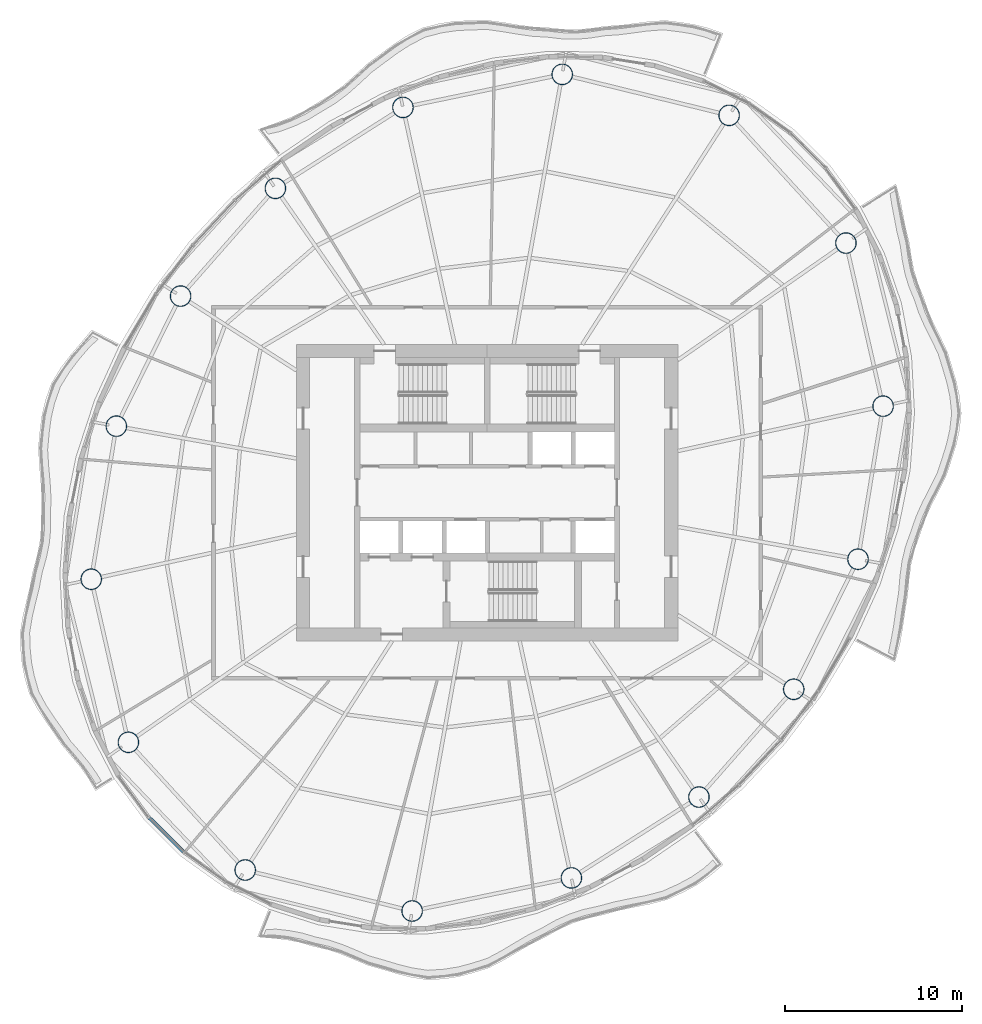
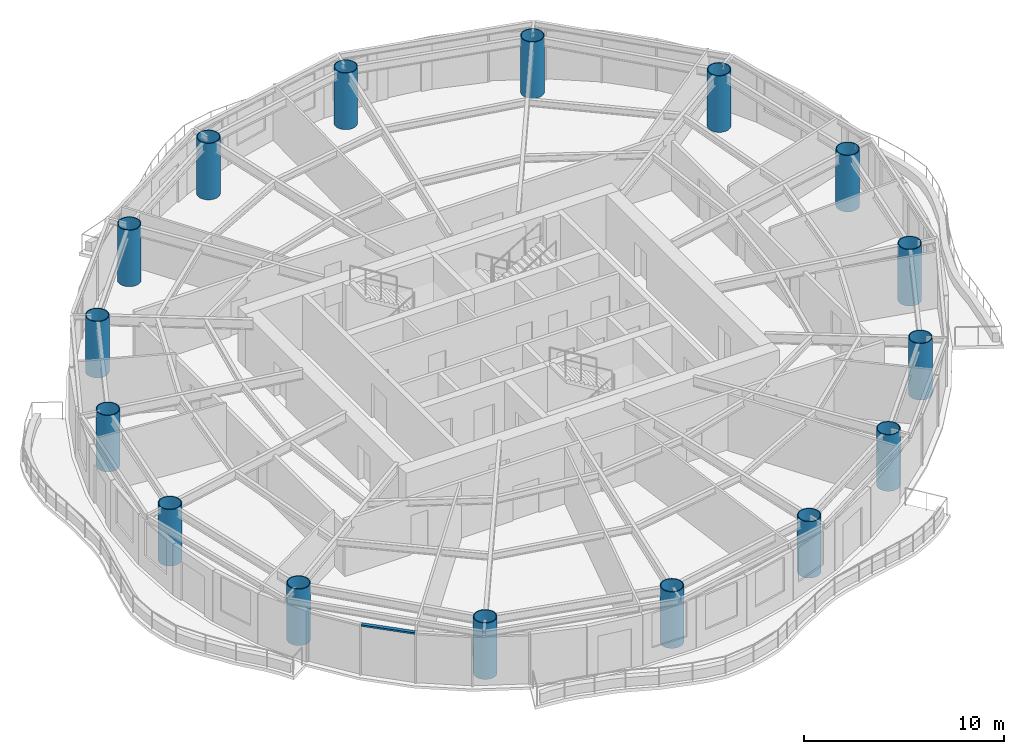
# One storey, part 1 of 14: 16 columns, 1 member, 1 element without a shape of its own.
"""IFC4 building model written with IfcOpenShell, lengths in metres."""

from ifc_helpers import new_model, si_unit, direction, frame, origin, origin_2d, place, context, subcontext, project, spatial, rectangle, hollow_circle, extrude, material, material_profile, profile_set, type_object, element, aggregate, save


model = new_model("IFC4")

# Units and contexts
model_context = context("Model", 3, precision=1e-05, world=origin(), true_north=direction((0.0, 1.0)))
body_context = subcontext(model_context, "Body", "Model", "MODEL_VIEW")
ifc_project = project(units=[si_unit("LENGTHUNIT", "METRE"), si_unit("AREAUNIT", "SQUARE_METRE"), si_unit("VOLUMEUNIT", "CUBIC_METRE"), si_unit("PLANEANGLEUNIT", "RADIAN"), si_unit("MASSUNIT", "GRAM", prefix="KILO")], contexts=[model_context])

# Site, building, storey
site_placement = place(None, origin())
site = spatial("IfcSite", under=ifc_project, at=site_placement, CompositionType="ELEMENT")
building_placement = place(site_placement, origin())
building = spatial("IfcBuilding", under=site, at=building_placement, Name="Vermilion Reach Broadcast Tower", CompositionType="ELEMENT")
storey_placement = place(building_placement, frame((0.0, 0.0, 231.699951171875)))
storey = spatial("IfcBuildingStorey", under=building, at=storey_placement, Name="L57", CompositionType="ELEMENT", Elevation=231.699951171875)

# Columns
ifc_material_1 = material(Name="Concrete C60 infill in steel S460NL tube", Category="concrete")
ifc_material_profile_1 = material_profile(ifc_material_1, hollow_circle(Radius=0.60009765625, WallThickness=0.044921875, at=origin_2d()), Name="Concrete C60 infill in steel S460NL tube CFT 1200x45")
ifc_profile_set_1 = profile_set([ifc_material_profile_1], Name="Concrete C60 infill in steel S460NL tube")
column_type = type_object("IfcColumnType", Name="MC4 CFT 1200x45", PredefinedType="COLUMN", material=ifc_profile_set_1)
for number, where, z_axis, x_axis, name in (
    (1, (7.70361328125, 21.3701171875, 0.0), (0.0, 0.0, 1.0), (1.0, 0.0, 0.0), "Mega-column MC4-01"),
    (2, (-1.75, 23.691162109375, 0.0), (0.0, 0.0, 1.0), (1.0, 0.0, 0.0), "Mega-column MC4-02"),
    (3, (-10.769287109375, 21.818603515625, 0.0), (0.0, 0.0, 1.0), (1.0, 0.0, 0.0), "Mega-column MC4-03"),
    (4, (-17.993408203125, 17.23681640625, 0.0), (0.0, 0.0, 1.0), (1.0, 0.0, 0.0), "Mega-column MC4-04"),
    (5, (-23.36279296875, 11.134033203125, 0.0), (0.0, 0.0, 1.0), (1.0, 0.0, 0.0), "Mega-column MC4-05"),
    (6, (-27.002685546875, 3.767578125, 0.0), (0.0, 0.0, 1.0), (1.0, 0.0, 0.0), "Mega-column MC4-06"),
    (7, (-28.423828125, -4.9013671875, 0.0), (0.0, 0.0, 1.0), (1.0, 0.0, 0.0), "Mega-column MC4-07"),
    (8, (-26.318115234375, -14.13720703125, 0.0), (0.0, 0.0, 1.0), (1.0, 0.0, 0.0), "Mega-column MC4-08"),
    (9, (-19.70361328125, -21.3701171875, 0.0), (0.0, 0.0, 1.0), (1.0, 0.0, 0.0), "Mega-column MC4-09"),
    (10, (-10.25, -23.691162109375, 0.0), (0.0, 0.0, 1.0), (1.0, 0.0, 0.0), "Mega-column MC4-10"),
    (11, (-1.230712890625, -21.818603515625, 0.0), (0.0, 0.0, 1.0), (1.0, 0.0, 0.0), "Mega-column MC4-11"),
    (12, (5.993408203125, -17.23681640625, 0.0), (0.0, 0.0, 1.0), (1.0, 0.0, 0.0), "Mega-column MC4-12"),
    (13, (11.36279296875, -11.134033203125, 0.0), (0.0, 0.0, 1.0), (1.0, 0.0, 0.0), "Mega-column MC4-13"),
    (14, (15.002685546875, -3.767578125, 0.0), (0.0, 0.0, 1.0), (1.0, 0.0, 0.0), "Mega-column MC4-14"),
    (15, (16.423828125, 4.9013671875, 0.0), (0.0, 0.0, 1.0), (1.0, 0.0, 0.0), "Mega-column MC4-15"),
    (16, (14.318115234375, 14.13720703125, 0.0), (0.0, 0.0, 1.0), (1.0, 0.0, 0.0), "Mega-column MC4-16"),
):
    element("IfcColumn", number, at=place(storey_placement, frame(where, z_axis=z_axis, x_axis=x_axis)), inside=storey, type_object=column_type, Name=name, PredefinedType="COLUMN", context=body_context, shape_type="SweptSolid", body=[
        extrude(hollow_circle(Radius=0.60009765625, WallThickness=0.044921875, at=origin_2d()), origin(), (0.0, 0.0, 1.0), 3.449951171875),
    ])

# Curtain wall, member
ifc_material_2 = material(Name="Low-e laminated clear glass in aluminium frame", Category="aluminium")
curtain_wall_type = type_object("IfcCurtainWallType", Name="Slot curtain wall", PredefinedType="NOTDEFINED", material=ifc_material_2)
curtain_wall_placement = place(storey_placement, origin())
curtain_wall = element("IfcCurtainWall", 17, at=curtain_wall_placement, inside=storey, type_object=curtain_wall_type, Name="Slot curtain wall L57 23", PredefinedType="NOTDEFINED")
ifc_material_3 = material(Name="Anodised aluminium", Category="aluminium")
ifc_material_profile_2 = material_profile(ifc_material_3, rectangle(XDim=0.199951171875, YDim=0.10009765625, at=origin_2d()), Name="Slot transom 200 x 100")
ifc_profile_set_2 = profile_set([ifc_material_profile_2], Name="Anodised aluminium")
member_type = type_object("IfcMemberType", Name="Slot transom 200 x 100", PredefinedType="USERDEFINED", material=ifc_profile_set_2)
member_placement = place(storey_placement, frame((-25.140869140625, -18.408447265625, 3.050048828125), z_axis=(0.711380809465, -0.702806761439, 0.0), x_axis=(0.702806761439, 0.711380809465, 0.0)))
member = element("IfcMember", 18, at=member_placement, type_object=member_type, Name="Slot transom L57 23.1", ObjectType="TRANSOM", PredefinedType="USERDEFINED", context=body_context, shape_type="SweptSolid", body=[
    extrude(rectangle(XDim=0.199951171875, YDim=0.10009765625, at=origin_2d()), origin(), (0.0, 0.0, 1.0), 2.761962890625),
])
aggregate(curtain_wall, [member])

save(model, "model.ifc")
